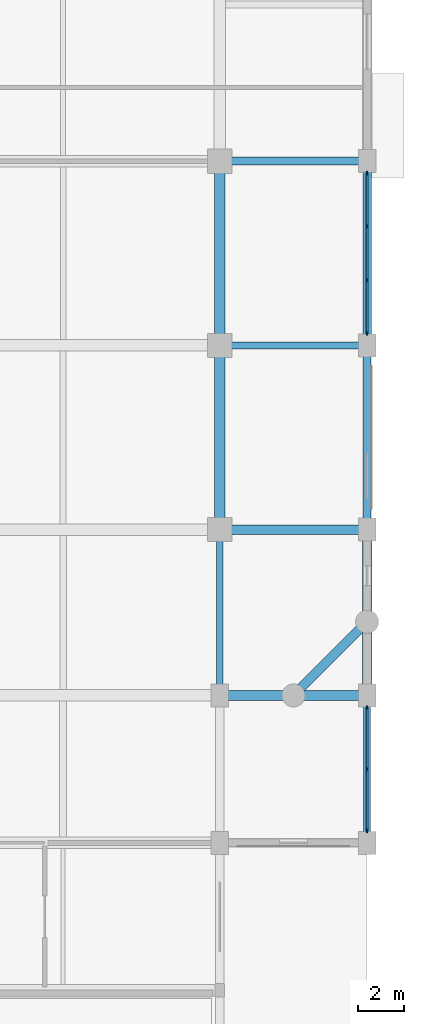
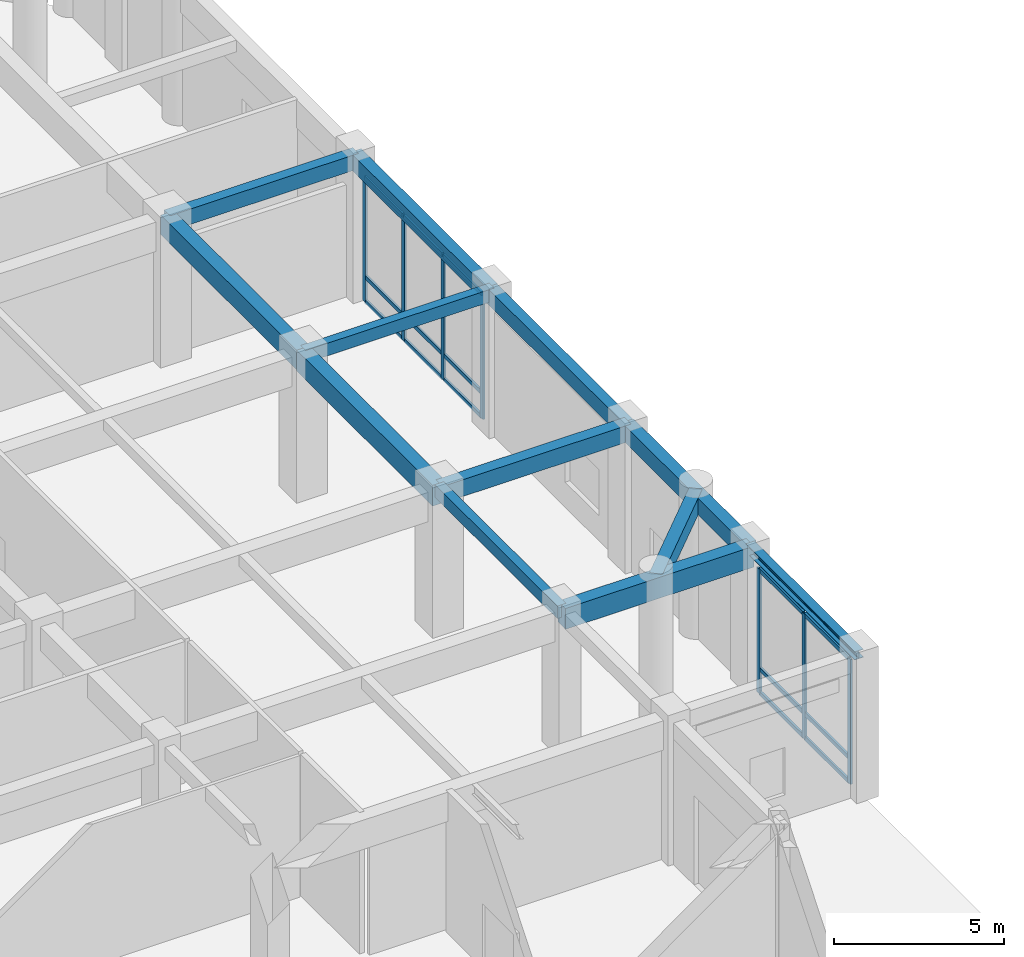
# One storey, part 17 of 40: 22 members, 12 beams, 2 elements without a shape of their own.
"""IFC4 building model written with IfcOpenShell, lengths in metres."""

from ifc_helpers import new_model, si_unit, direction, frame, origin, origin_2d, place, context, subcontext, project, spatial, rectangle, i_section, extrude, material, material_profile, profile_set, type_object, element, aggregate, save


model = new_model("IFC4")

# Units and contexts
model_context = context("Model", 3, precision=1e-05, world=origin(), true_north=direction((0.0, 1.0)))
body_context = subcontext(model_context, "Body", "Model", "MODEL_VIEW")
ifc_project = project(units=[si_unit("LENGTHUNIT", "METRE"), si_unit("AREAUNIT", "SQUARE_METRE"), si_unit("VOLUMEUNIT", "CUBIC_METRE"), si_unit("PLANEANGLEUNIT", "RADIAN"), si_unit("MASSUNIT", "GRAM", prefix="KILO")], contexts=[model_context])

# Site, building, storey
site_placement = place(None, origin())
site = spatial("IfcSite", under=ifc_project, at=site_placement, CompositionType="ELEMENT")
building_placement = place(site_placement, origin())
building = spatial("IfcBuilding", under=site, at=building_placement, Name="Vellmiral Cinema and Media Centre", CompositionType="ELEMENT")
storey_placement = place(building_placement, origin())
storey = spatial("IfcBuildingStorey", under=building, at=storey_placement, Name="L00", CompositionType="ELEMENT", Elevation=0.0)

# Beams
ifc_material_1 = material(Name="Concrete C40/50", Category="concrete")
ifc_material_profile_1 = material_profile(ifc_material_1, rectangle(XDim=0.300048828125, YDim=0.449951171875, at=origin_2d()), Name="RC 300x450")
ifc_profile_set_1 = profile_set([ifc_material_profile_1], Name="Concrete C40/50")
beam_type_1 = type_object("IfcBeamType", Name="BM-RC-300x450", PredefinedType="BEAM", material=ifc_profile_set_1)
beam_1_placement = place(storey_placement, frame((161.60009765625, 87.199951171875, 4.85009765625), z_axis=(1.0, 0.0, 0.0), x_axis=(0.0, 1.0, 0.0)))
element("IfcBeam", 1, at=beam_1_placement, inside=storey, type_object=beam_type_1, Name="Grid Beam L00-X151", PredefinedType="BEAM", context=body_context, shape_type="SweptSolid", body=[
    extrude(rectangle(XDim=0.300048828125, YDim=0.449951171875, at=origin_2d()), origin(), (0.0, 0.0, 1.0), 6.39990234375),
])
beam_2_placement = place(storey_placement, frame((161.60009765625, 72.0, 4.85009765625), z_axis=(0.0, 1.0, 0.0), x_axis=(-1.0, 0.0, 0.0)))
element("IfcBeam", 2, at=beam_2_placement, inside=storey, type_object=beam_type_1, Name="Grid Beam L00-Y359", PredefinedType="BEAM", context=body_context, shape_type="SweptSolid", body=[
    extrude(rectangle(XDim=0.300048828125, YDim=0.449951171875, at=origin_2d()), origin(), (0.0, 0.0, 1.0), 7.199951171875),
])
ifc_material_2 = material(Name="Concrete C40/50", Category="concrete")
ifc_material_profile_2 = material_profile(ifc_material_2, rectangle(XDim=0.35009765625, YDim=0.550048828125, at=origin_2d()), Name="RC 350x550")
ifc_profile_set_2 = profile_set([ifc_material_profile_2], Name="Concrete C40/50")
beam_type_2 = type_object("IfcBeamType", Name="BM-RC-350x550", PredefinedType="BEAM", material=ifc_profile_set_2)
beam_3_placement = place(storey_placement, frame((161.60009765625, 95.199951171875, 4.800048828125), z_axis=(1.0, 0.0, 0.0), x_axis=(0.0, 1.0, 0.0)))
element("IfcBeam", 3, at=beam_3_placement, inside=storey, type_object=beam_type_2, Name="Grid Beam L00-X170", PredefinedType="BEAM", context=body_context, shape_type="SweptSolid", body=[
    extrude(rectangle(XDim=0.35009765625, YDim=0.550048828125, at=origin_2d()), origin(), (0.0, 0.0, 1.0), 6.39990234375),
])
ifc_material_3 = material(Name="Concrete C40/50", Category="concrete")
ifc_material_profile_3 = material_profile(ifc_material_3, rectangle(XDim=0.39990234375, YDim=0.60009765625, at=origin_2d()), Name="RC 400x600")
ifc_profile_set_3 = profile_set([ifc_material_profile_3], Name="Concrete C40/50")
beam_type_3 = type_object("IfcBeamType", Name="BM-RC-400x600", PredefinedType="BEAM", material=ifc_profile_set_3)
beam_4_placement = place(storey_placement, frame((161.60009765625, 79.199951171875, 4.77490234375), z_axis=(1.0, 0.0, 0.0), x_axis=(0.0, 1.0, 0.0)))
element("IfcBeam", 4, at=beam_4_placement, inside=storey, type_object=beam_type_3, Name="Grid Beam L00-X135", PredefinedType="BEAM", context=body_context, shape_type="SweptSolid", body=[
    extrude(rectangle(XDim=0.39990234375, YDim=0.60009765625, at=origin_2d()), origin(), (0.0, 0.0, 1.0), 6.39990234375),
])
ifc_material_4 = material(Name="Concrete C40/50", Category="concrete")
ifc_material_profile_4 = material_profile(ifc_material_4, rectangle(XDim=0.449951171875, YDim=0.699951171875, at=origin_2d()), Name="RC 450x700")
ifc_profile_set_4 = profile_set([ifc_material_profile_4], Name="Concrete C40/50")
beam_type_4 = type_object("IfcBeamType", Name="BM-RC-450x700", PredefinedType="BEAM", material=ifc_profile_set_4)
beam_5_placement = place(storey_placement, frame((161.60009765625, 87.199951171875, 4.72509765625), z_axis=(0.0, 1.0, 0.0), x_axis=(-1.0, 0.0, 0.0)))
element("IfcBeam", 5, at=beam_5_placement, inside=storey, type_object=beam_type_4, Name="Grid Beam L00-Y361", PredefinedType="BEAM", context=body_context, shape_type="SweptSolid", body=[
    extrude(rectangle(XDim=0.449951171875, YDim=0.699951171875, at=origin_2d()), origin(), (0.0, 0.0, 1.0), 8.0),
])
ifc_material_5 = material(Name="Concrete C40/50", Category="concrete")
ifc_material_profile_5 = material_profile(ifc_material_5, rectangle(XDim=0.449951171875, YDim=0.75, at=origin_2d()), Name="RC 450x750")
ifc_profile_set_5 = profile_set([ifc_material_profile_5], Name="Concrete C40/50")
beam_type_5 = type_object("IfcBeamType", Name="BM-RC-450x750", PredefinedType="BEAM", material=ifc_profile_set_5)
beam_6_placement = place(storey_placement, frame((161.60009765625, 72.0, 4.699951171875), z_axis=(1.0, 0.0, 0.0), x_axis=(0.0, 1.0, 0.0)))
element("IfcBeam", 6, at=beam_6_placement, inside=storey, type_object=beam_type_5, Name="Grid Beam L00-X121", PredefinedType="BEAM", context=body_context, shape_type="SweptSolid", body=[
    extrude(rectangle(XDim=0.449951171875, YDim=0.75, at=origin_2d()), origin(), (0.0, 0.0, 1.0), 6.39990234375),
])
beam_7_placement = place(storey_placement, frame((161.60009765625, 79.199951171875, 4.699951171875), z_axis=(0.0, 1.0, 0.0), x_axis=(-1.0, 0.0, 0.0)))
element("IfcBeam", 7, at=beam_7_placement, inside=storey, type_object=beam_type_5, Name="Grid Beam L00-Y360", PredefinedType="BEAM", context=body_context, shape_type="SweptSolid", body=[
    extrude(rectangle(XDim=0.449951171875, YDim=0.75, at=origin_2d()), origin(), (0.0, 0.0, 1.0), 8.0),
])

# Curtain wall, members
ifc_material_6 = material(Name="Thermally Broken Aluminium and Triple Glazing", Category="aluminium")
curtain_wall_type = type_object("IfcCurtainWallType", Name="CW-LIB-BAY", PredefinedType="USERDEFINED", material=ifc_material_6)
curtain_wall_1_placement = place(storey_placement, origin())
curtain_wall_1 = element("IfcCurtainWall", 8, at=curtain_wall_1_placement, inside=storey, type_object=curtain_wall_type, Name="Curtain Wall L00-B037", ObjectType="STICK CURTAIN WALL", PredefinedType="USERDEFINED")
ifc_material_7 = material(Name="Thermally Broken Anodised Aluminium", Category="aluminium")
ifc_material_profile_6 = material_profile(ifc_material_7, rectangle(XDim=0.070068359375, YDim=0.179931640625, at=origin_2d()), Name="MULL 70x180")
ifc_profile_set_6 = profile_set([ifc_material_profile_6], Name="Thermally Broken Anodised Aluminium")
member_type_1 = type_object("IfcMemberType", Name="CWM-70x180", PredefinedType="MULLION", material=ifc_profile_set_6)
member_1_placement = place(storey_placement, frame((168.0, 66.135009765625, 0.0), z_axis=(0.0, 0.0, 1.0), x_axis=(-1.0, 0.0, 0.0)))
member_1 = element("IfcMember", 9, at=member_1_placement, type_object=member_type_1, Name="CW-03 mullion 1", PredefinedType="MULLION", context=body_context, shape_type="SweptSolid", body=[
    extrude(rectangle(XDim=0.070068359375, YDim=0.179931640625, at=origin_2d()), origin(), (0.0, 0.0, 1.0), 4.47998046875),
])
member_2_placement = place(storey_placement, frame((168.0, 68.800048828125, 0.0), z_axis=(0.0, 0.0, 1.0), x_axis=(-1.0, 0.0, 0.0)))
member_2 = element("IfcMember", 10, at=member_2_placement, type_object=member_type_1, Name="CW-03 mullion 2", PredefinedType="MULLION", context=body_context, shape_type="SweptSolid", body=[
    extrude(rectangle(XDim=0.070068359375, YDim=0.179931640625, at=origin_2d()), origin(), (0.0, 0.0, 1.0), 4.47998046875),
])
member_3_placement = place(storey_placement, frame((168.0, 71.465087890625, 0.0), z_axis=(0.0, 0.0, 1.0), x_axis=(-1.0, 0.0, 0.0)))
member_3 = element("IfcMember", 11, at=member_3_placement, type_object=member_type_1, Name="CW-03 mullion 3", PredefinedType="MULLION", context=body_context, shape_type="SweptSolid", body=[
    extrude(rectangle(XDim=0.070068359375, YDim=0.179931640625, at=origin_2d()), origin(), (0.0, 0.0, 1.0), 4.47998046875),
])

curtain_wall_2_placement = place(storey_placement, origin())
curtain_wall_2 = element("IfcCurtainWall", 12, at=curtain_wall_2_placement, inside=storey, type_object=curtain_wall_type, Name="Curtain Wall L00-B041", ObjectType="STICK CURTAIN WALL", PredefinedType="USERDEFINED")
member_4_placement = place(storey_placement, frame((168.0, 87.735107421875, 0.0), z_axis=(0.0, 0.0, 1.0), x_axis=(-1.0, 0.0, 0.0)))
member_4 = element("IfcMember", 13, at=member_4_placement, type_object=member_type_1, Name="CW-03 mullion 1", PredefinedType="MULLION", context=body_context, shape_type="SweptSolid", body=[
    extrude(rectangle(XDim=0.070068359375, YDim=0.179931640625, at=origin_2d()), origin(), (0.0, 0.0, 1.0), 4.47998046875),
])
member_5_placement = place(storey_placement, frame((168.0, 90.033447265625, 0.0), z_axis=(0.0, 0.0, 1.0), x_axis=(-1.0, 0.0, 0.0)))
member_5 = element("IfcMember", 14, at=member_5_placement, type_object=member_type_1, Name="CW-03 mullion 2", PredefinedType="MULLION", context=body_context, shape_type="SweptSolid", body=[
    extrude(rectangle(XDim=0.070068359375, YDim=0.179931640625, at=origin_2d()), origin(), (0.0, 0.0, 1.0), 4.47998046875),
])
member_6_placement = place(storey_placement, frame((168.0, 92.36669921875, 0.0), z_axis=(0.0, 0.0, 1.0), x_axis=(-1.0, 0.0, 0.0)))
member_6 = element("IfcMember", 15, at=member_6_placement, type_object=member_type_1, Name="CW-03 mullion 3", PredefinedType="MULLION", context=body_context, shape_type="SweptSolid", body=[
    extrude(rectangle(XDim=0.070068359375, YDim=0.179931640625, at=origin_2d()), origin(), (0.0, 0.0, 1.0), 4.47998046875),
])
member_7_placement = place(storey_placement, frame((168.0, 94.6650390625, 0.0), z_axis=(0.0, 0.0, 1.0), x_axis=(-1.0, 0.0, 0.0)))
member_7 = element("IfcMember", 16, at=member_7_placement, type_object=member_type_1, Name="CW-03 mullion 4", PredefinedType="MULLION", context=body_context, shape_type="SweptSolid", body=[
    extrude(rectangle(XDim=0.070068359375, YDim=0.179931640625, at=origin_2d()), origin(), (0.0, 0.0, 1.0), 4.47998046875),
])

# Member
ifc_material_8 = material(Name="Thermally Broken Anodised Aluminium", Category="aluminium")
ifc_material_profile_7 = material_profile(ifc_material_8, rectangle(XDim=0.070068359375, YDim=0.14990234375, at=origin_2d()), Name="MULL 70x150")
ifc_profile_set_7 = profile_set([ifc_material_profile_7], Name="Thermally Broken Anodised Aluminium")
member_type_2 = type_object("IfcMemberType", Name="CWT-70x150", PredefinedType="USERDEFINED", material=ifc_profile_set_7)
member_8_placement = place(storey_placement, frame((168.0, 66.169921875, 0.034912109375), z_axis=(0.0, 1.0, 0.0), x_axis=(-1.0, 0.0, 0.0)))
member_8 = element("IfcMember", 17, at=member_8_placement, type_object=member_type_2, Name="CW-03 transom 1.1", ObjectType="TRANSOM", PredefinedType="USERDEFINED", context=body_context, shape_type="SweptSolid", body=[
    extrude(rectangle(XDim=0.070068359375, YDim=0.14990234375, at=origin_2d()), origin(), (0.0, 0.0, 1.0), 2.594970703125),
])

member_9_placement = place(storey_placement, frame((168.0, 66.169921875, 0.89990234375), z_axis=(0.0, 1.0, 0.0), x_axis=(-1.0, 0.0, 0.0)))
member_9 = element("IfcMember", 18, at=member_9_placement, type_object=member_type_2, Name="CW-03 transom 1.2", ObjectType="TRANSOM", PredefinedType="USERDEFINED", context=body_context, shape_type="SweptSolid", body=[
    extrude(rectangle(XDim=0.070068359375, YDim=0.14990234375, at=origin_2d()), origin(), (0.0, 0.0, 1.0), 2.594970703125),
])

member_10_placement = place(storey_placement, frame((168.0, 66.169921875, 4.445068359375), z_axis=(0.0, 1.0, 0.0), x_axis=(-1.0, 0.0, 0.0)))
member_10 = element("IfcMember", 19, at=member_10_placement, type_object=member_type_2, Name="CW-03 transom 1.3", ObjectType="TRANSOM", PredefinedType="USERDEFINED", context=body_context, shape_type="SweptSolid", body=[
    extrude(rectangle(XDim=0.070068359375, YDim=0.14990234375, at=origin_2d()), origin(), (0.0, 0.0, 1.0), 2.594970703125),
])

member_11_placement = place(storey_placement, frame((168.0, 68.8349609375, 0.034912109375), z_axis=(0.0, 1.0, 0.0), x_axis=(-1.0, 0.0, 0.0)))
member_11 = element("IfcMember", 20, at=member_11_placement, type_object=member_type_2, Name="CW-03 transom 2.1", ObjectType="TRANSOM", PredefinedType="USERDEFINED", context=body_context, shape_type="SweptSolid", body=[
    extrude(rectangle(XDim=0.070068359375, YDim=0.14990234375, at=origin_2d()), origin(), (0.0, 0.0, 1.0), 2.594970703125),
])

member_12_placement = place(storey_placement, frame((168.0, 68.8349609375, 0.89990234375), z_axis=(0.0, 1.0, 0.0), x_axis=(-1.0, 0.0, 0.0)))
member_12 = element("IfcMember", 21, at=member_12_placement, type_object=member_type_2, Name="CW-03 transom 2.2", ObjectType="TRANSOM", PredefinedType="USERDEFINED", context=body_context, shape_type="SweptSolid", body=[
    extrude(rectangle(XDim=0.070068359375, YDim=0.14990234375, at=origin_2d()), origin(), (0.0, 0.0, 1.0), 2.594970703125),
])

member_13_placement = place(storey_placement, frame((168.0, 68.8349609375, 4.445068359375), z_axis=(0.0, 1.0, 0.0), x_axis=(-1.0, 0.0, 0.0)))
member_13 = element("IfcMember", 22, at=member_13_placement, type_object=member_type_2, Name="CW-03 transom 2.3", ObjectType="TRANSOM", PredefinedType="USERDEFINED", context=body_context, shape_type="SweptSolid", body=[
    extrude(rectangle(XDim=0.070068359375, YDim=0.14990234375, at=origin_2d()), origin(), (0.0, 0.0, 1.0), 2.594970703125),
])

aggregate(curtain_wall_1, [member_1, member_2, member_3, member_8, member_9, member_10, member_11, member_12, member_13])

member_14_placement = place(storey_placement, frame((168.0, 87.77001953125, 0.034912109375), z_axis=(0.0, 1.0, 0.0), x_axis=(-1.0, 0.0, 0.0)))
member_14 = element("IfcMember", 23, at=member_14_placement, type_object=member_type_2, Name="CW-03 transom 1.1", ObjectType="TRANSOM", PredefinedType="USERDEFINED", context=body_context, shape_type="SweptSolid", body=[
    extrude(rectangle(XDim=0.070068359375, YDim=0.14990234375, at=origin_2d()), origin(), (0.0, 0.0, 1.0), 2.228271484375),
])

member_15_placement = place(storey_placement, frame((168.0, 87.77001953125, 0.89990234375), z_axis=(0.0, 1.0, 0.0), x_axis=(-1.0, 0.0, 0.0)))
member_15 = element("IfcMember", 24, at=member_15_placement, type_object=member_type_2, Name="CW-03 transom 1.2", ObjectType="TRANSOM", PredefinedType="USERDEFINED", context=body_context, shape_type="SweptSolid", body=[
    extrude(rectangle(XDim=0.070068359375, YDim=0.14990234375, at=origin_2d()), origin(), (0.0, 0.0, 1.0), 2.228271484375),
])

member_16_placement = place(storey_placement, frame((168.0, 87.77001953125, 4.445068359375), z_axis=(0.0, 1.0, 0.0), x_axis=(-1.0, 0.0, 0.0)))
member_16 = element("IfcMember", 25, at=member_16_placement, type_object=member_type_2, Name="CW-03 transom 1.3", ObjectType="TRANSOM", PredefinedType="USERDEFINED", context=body_context, shape_type="SweptSolid", body=[
    extrude(rectangle(XDim=0.070068359375, YDim=0.14990234375, at=origin_2d()), origin(), (0.0, 0.0, 1.0), 2.228271484375),
])

member_17_placement = place(storey_placement, frame((168.0, 90.068359375, 0.034912109375), z_axis=(0.0, 1.0, 0.0), x_axis=(-1.0, 0.0, 0.0)))
member_17 = element("IfcMember", 26, at=member_17_placement, type_object=member_type_2, Name="CW-03 transom 2.1", ObjectType="TRANSOM", PredefinedType="USERDEFINED", context=body_context, shape_type="SweptSolid", body=[
    extrude(rectangle(XDim=0.070068359375, YDim=0.14990234375, at=origin_2d()), origin(), (0.0, 0.0, 1.0), 2.263427734375),
])

member_18_placement = place(storey_placement, frame((168.0, 90.068359375, 0.89990234375), z_axis=(0.0, 1.0, 0.0), x_axis=(-1.0, 0.0, 0.0)))
member_18 = element("IfcMember", 27, at=member_18_placement, type_object=member_type_2, Name="CW-03 transom 2.2", ObjectType="TRANSOM", PredefinedType="USERDEFINED", context=body_context, shape_type="SweptSolid", body=[
    extrude(rectangle(XDim=0.070068359375, YDim=0.14990234375, at=origin_2d()), origin(), (0.0, 0.0, 1.0), 2.263427734375),
])

member_19_placement = place(storey_placement, frame((168.0, 90.068359375, 4.445068359375), z_axis=(0.0, 1.0, 0.0), x_axis=(-1.0, 0.0, 0.0)))
member_19 = element("IfcMember", 28, at=member_19_placement, type_object=member_type_2, Name="CW-03 transom 2.3", ObjectType="TRANSOM", PredefinedType="USERDEFINED", context=body_context, shape_type="SweptSolid", body=[
    extrude(rectangle(XDim=0.070068359375, YDim=0.14990234375, at=origin_2d()), origin(), (0.0, 0.0, 1.0), 2.263427734375),
])

member_20_placement = place(storey_placement, frame((168.0, 92.401611328125, 0.034912109375), z_axis=(0.0, 1.0, 0.0), x_axis=(-1.0, 0.0, 0.0)))
member_20 = element("IfcMember", 29, at=member_20_placement, type_object=member_type_2, Name="CW-03 transom 3.1", ObjectType="TRANSOM", PredefinedType="USERDEFINED", context=body_context, shape_type="SweptSolid", body=[
    extrude(rectangle(XDim=0.070068359375, YDim=0.14990234375, at=origin_2d()), origin(), (0.0, 0.0, 1.0), 2.228271484375),
])

member_21_placement = place(storey_placement, frame((168.0, 92.401611328125, 0.89990234375), z_axis=(0.0, 1.0, 0.0), x_axis=(-1.0, 0.0, 0.0)))
member_21 = element("IfcMember", 30, at=member_21_placement, type_object=member_type_2, Name="CW-03 transom 3.2", ObjectType="TRANSOM", PredefinedType="USERDEFINED", context=body_context, shape_type="SweptSolid", body=[
    extrude(rectangle(XDim=0.070068359375, YDim=0.14990234375, at=origin_2d()), origin(), (0.0, 0.0, 1.0), 2.228271484375),
])

member_22_placement = place(storey_placement, frame((168.0, 92.401611328125, 4.445068359375), z_axis=(0.0, 1.0, 0.0), x_axis=(-1.0, 0.0, 0.0)))
member_22 = element("IfcMember", 31, at=member_22_placement, type_object=member_type_2, Name="CW-03 transom 3.3", ObjectType="TRANSOM", PredefinedType="USERDEFINED", context=body_context, shape_type="SweptSolid", body=[
    extrude(rectangle(XDim=0.070068359375, YDim=0.14990234375, at=origin_2d()), origin(), (0.0, 0.0, 1.0), 2.228271484375),
])

aggregate(curtain_wall_2, [member_4, member_5, member_6, member_7, member_14, member_15, member_16, member_17, member_18, member_19, member_20, member_21, member_22])

# Beams
ifc_material_9 = material(Name="Steel S355", Category="steel")
ifc_material_profile_8 = material_profile(ifc_material_9, i_section(OverallWidth=0.300048828125, OverallDepth=0.300048828125, WebThickness=0.010986328125, FlangeThickness=0.01904296875, FilletRadius=0.027099609375, at=origin_2d()), Name="HEB 300")
ifc_profile_set_8 = profile_set([ifc_material_profile_8], Name="Steel S355")
beam_type_6 = type_object("IfcBeamType", Name="SBM-HEB300", PredefinedType="SPANDREL", material=ifc_profile_set_8)
beam_8_placement = place(storey_placement, frame((168.0, 65.60009765625, 4.925048828125), z_axis=(0.0, 1.0, 0.0), x_axis=(-1.0, 0.0, 0.0)))
element("IfcBeam", 32, at=beam_8_placement, inside=storey, type_object=beam_type_6, Name="Grid Beam L00-Y364", PredefinedType="SPANDREL", context=body_context, shape_type="SweptSolid", body=[
    extrude(i_section(OverallWidth=0.300048828125, OverallDepth=0.300048828125, WebThickness=0.010986328125, FlangeThickness=0.01904296875, FilletRadius=0.027099609375, at=origin_2d()), origin(), (0.0, 0.0, 1.0), 6.39990234375),
])
ifc_material_10 = material(Name="Concrete C40/50", Category="concrete")
ifc_material_profile_9 = material_profile(ifc_material_10, rectangle(XDim=0.35009765625, YDim=0.56005859375, at=origin_2d()), Name="RC 350x560")
ifc_profile_set_9 = profile_set([ifc_material_profile_9], Name="Concrete C40/50")
beam_type_7 = type_object("IfcBeamType", Name="SPD-RC-350x560", PredefinedType="SPANDREL", material=ifc_profile_set_9)
beam_9_placement = place(storey_placement, frame((168.0, 79.199951171875, 4.794921875), z_axis=(0.0, 1.0, 0.0), x_axis=(-1.0, 0.0, 0.0)))
element("IfcBeam", 33, at=beam_9_placement, inside=storey, type_object=beam_type_7, Name="Grid Beam L00-Y366", PredefinedType="SPANDREL", context=body_context, shape_type="SweptSolid", body=[
    extrude(rectangle(XDim=0.35009765625, YDim=0.56005859375, at=origin_2d()), origin(), (0.0, 0.0, 1.0), 8.0),
])
ifc_material_11 = material(Name="Concrete C40/50", Category="concrete")
ifc_material_profile_10 = material_profile(ifc_material_11, rectangle(XDim=0.39990234375, YDim=0.60009765625, at=origin_2d()), Name="RC 400x600")
ifc_profile_set_10 = profile_set([ifc_material_profile_10], Name="Concrete C40/50")
beam_type_8 = type_object("IfcBeamType", Name="SPD-RC-400x600", PredefinedType="SPANDREL", material=ifc_profile_set_10)
beam_10_placement = place(storey_placement, frame((168.0, 72.0, 4.77490234375), z_axis=(0.0, 1.0, 0.0), x_axis=(-1.0, 0.0, 0.0)))
element("IfcBeam", 34, at=beam_10_placement, inside=storey, type_object=beam_type_8, Name="Grid Beam L00-Y365", PredefinedType="SPANDREL", context=body_context, shape_type="SweptSolid", body=[
    extrude(rectangle(XDim=0.39990234375, YDim=0.60009765625, at=origin_2d()), origin(), (0.0, 0.0, 1.0), 7.199951171875),
])
beam_11_placement = place(storey_placement, frame((164.800048828125, 72.0, 4.77490234375), z_axis=(0.707106781187, 0.707106781187, 0.0), x_axis=(-0.707106781187, 0.707106781187, 0.0)))
element("IfcBeam", 35, at=beam_11_placement, inside=storey, type_object=beam_type_8, Name="Xamfra Chamfer Spandrel Beam L00-371", PredefinedType="SPANDREL", context=body_context, shape_type="SweptSolid", body=[
    extrude(rectangle(XDim=0.39990234375, YDim=0.60009765625, at=origin_2d()), origin(), (0.0, 0.0, 1.0), 4.525390625),
])
ifc_material_12 = material(Name="Vosges Red Sandstone Masonry", Category="masonry")
ifc_material_profile_11 = material_profile(ifc_material_12, rectangle(XDim=0.3798828125, YDim=0.580078125, at=origin_2d()), Name="SAND 380x580")
ifc_profile_set_11 = profile_set([ifc_material_profile_11], Name="Vosges Red Sandstone Masonry")
beam_type_9 = type_object("IfcBeamType", Name="SPD-SAND-380x580", PredefinedType="SPANDREL", material=ifc_profile_set_11)
beam_12_placement = place(storey_placement, frame((168.0, 87.199951171875, 4.784912109375), z_axis=(0.0, 1.0, 0.0), x_axis=(-1.0, 0.0, 0.0)))
element("IfcBeam", 36, at=beam_12_placement, inside=storey, type_object=beam_type_9, Name="Grid Beam L00-Y367", PredefinedType="SPANDREL", context=body_context, shape_type="SweptSolid", body=[
    extrude(rectangle(XDim=0.3798828125, YDim=0.580078125, at=origin_2d()), origin(), (0.0, 0.0, 1.0), 8.0),
])

save(model, "model.ifc")
